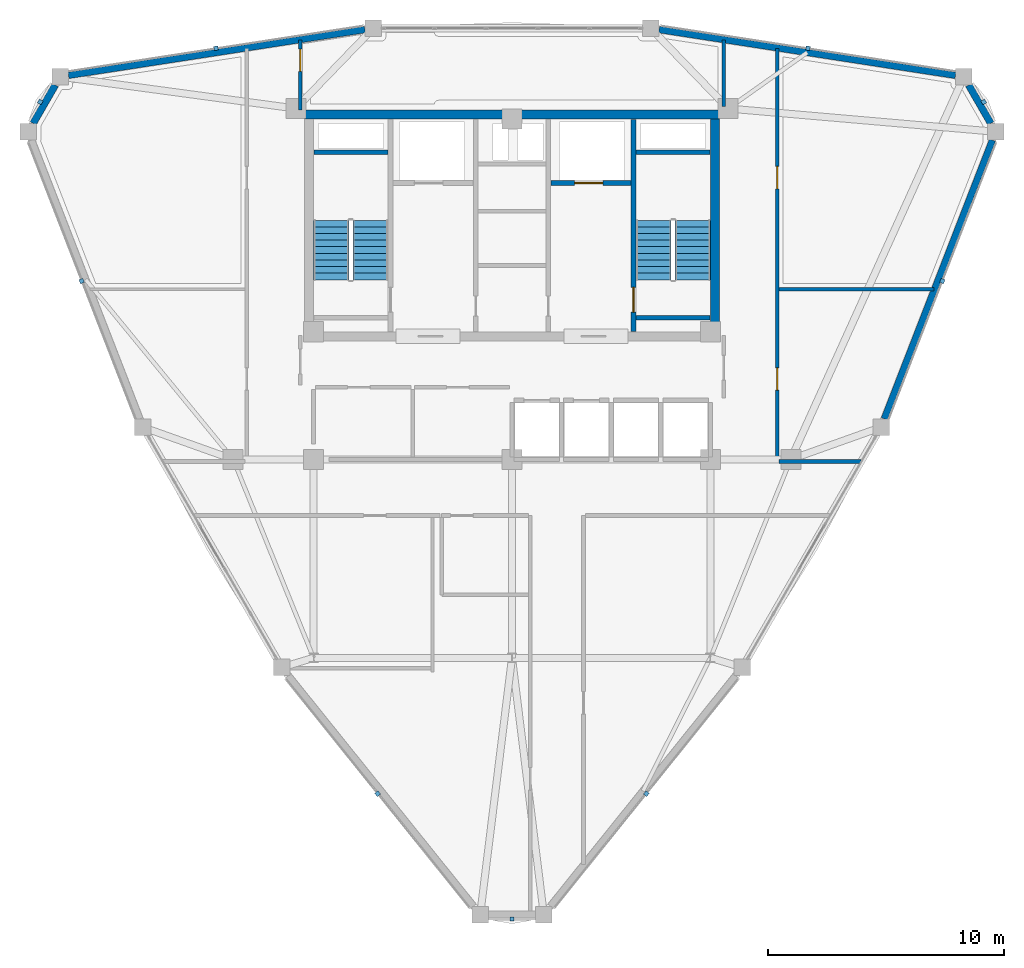
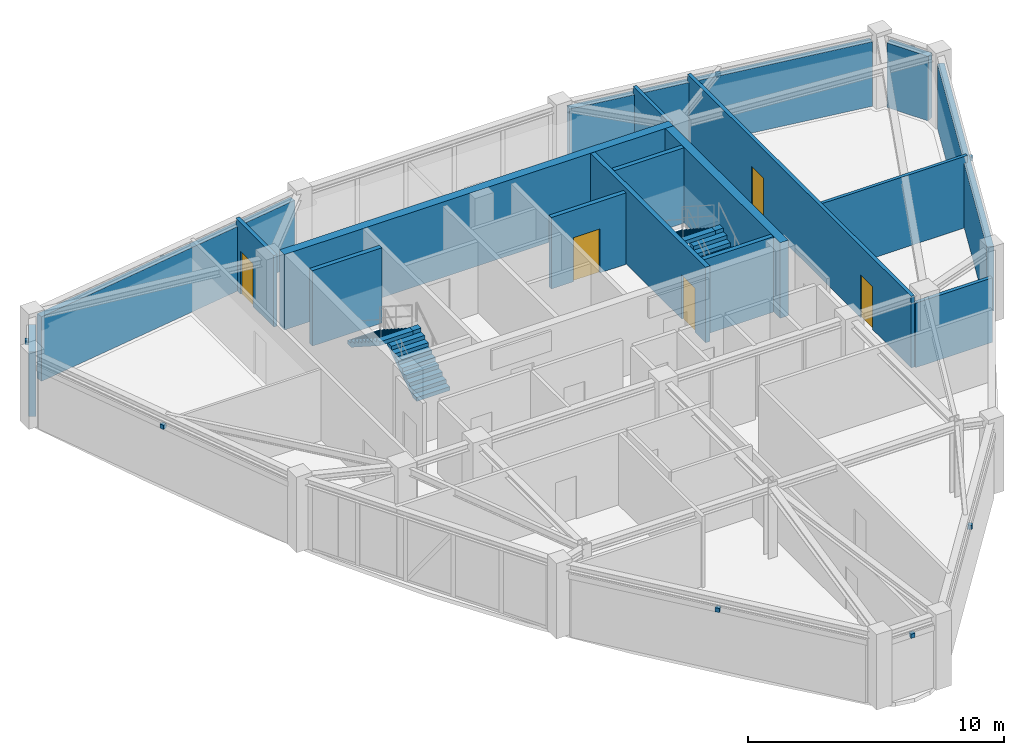
# One storey, part 13 of 15: 17 walls, 9 discrete accessories, 5 doors, 4 stair flights, 5 openings, 2 elements without a shape of their own.
"""IFC4 building model written with IfcOpenShell, lengths in metres."""

from ifc_helpers import new_model, si_unit, derived_unit, direction, frame, frame_2d, origin, origin_2d, place, context, subcontext, project, spatial, polyline, rectangle, outline, extrude, source, transform, mapped, material, layer, layer_set, type_object, element, fill, aggregate, save


model = new_model("IFC4")

# Units and contexts
model_context = context("Model", 3, precision=1e-05, world=origin(), true_north=direction((0.0, 1.0)))
body_context = subcontext(model_context, "Body", "Model", "MODEL_VIEW")
ifc_project = project(units=[si_unit("LENGTHUNIT", "METRE"), si_unit("AREAUNIT", "SQUARE_METRE"), si_unit("VOLUMEUNIT", "CUBIC_METRE"), si_unit("PLANEANGLEUNIT", "RADIAN"), si_unit("MASSUNIT", "GRAM", prefix="KILO"), derived_unit("THERMALTRANSMITTANCEUNIT", [(si_unit("POWERUNIT", "WATT"), 1), (si_unit("LENGTHUNIT", "METRE"), -2), (si_unit("THERMODYNAMICTEMPERATUREUNIT", "KELVIN"), -1)])], contexts=[model_context])

# Site, building, storey
site_placement = place(None, origin())
site = spatial("IfcSite", under=ifc_project, at=site_placement, CompositionType="ELEMENT")
building_placement = place(site_placement, origin())
building = spatial("IfcBuilding", under=site, at=building_placement, Name="Korsvarv Bourse and Concert Hall", CompositionType="ELEMENT")
storey_placement = place(building_placement, frame((0.0, 0.0, 264.60009765625)))
storey = spatial("IfcBuildingStorey", under=building, at=storey_placement, Name="L69", CompositionType="ELEMENT", Elevation=264.60009765625)

# Walls
ifc_material_1 = material(Name="Concrete C50/60", Category="concrete")
ifc_layer_1 = layer(ifc_material_1, 0.3798828125)
ifc_layer_set_1 = layer_set([ifc_layer_1], Name="Concrete C50/60")
wall_type_1 = type_object("IfcWallType", Name="WL-CORE-380", PredefinedType="SHEAR", material=ifc_layer_set_1)
wall_1_placement = place(storey_placement, frame((27.219970703125, 46.989990234375, 0.0), z_axis=(0.0, 0.0, 1.0), x_axis=(1.0, 0.0, 0.0)))
element("IfcWall", 1, at=wall_1_placement, inside=storey, type_object=wall_type_1, Name="L69 North Core Shear Wall", PredefinedType="SHEAR", context=body_context, shape_type="SweptSolid", body=[
    extrude(rectangle(XDim=17.56005859375, YDim=0.3798828125, at=frame_2d((8.780029296875, 0.0))), origin(), (0.0, 0.0, 1.0), 3.599853515625),
])
wall_2_placement = place(storey_placement, frame((44.590087890625, 37.800048828125, 0.0), z_axis=(0.0, 0.0, 1.0), x_axis=(0.0, 1.0, 0.0)))
element("IfcWall", 2, at=wall_2_placement, inside=storey, type_object=wall_type_1, Name="L69 East Core Shear Wall", PredefinedType="SHEAR", context=body_context, shape_type="SweptSolid", body=[
    extrude(rectangle(XDim=9.0, YDim=0.3798828125, at=frame_2d((4.5, 0.0))), origin(), (0.0, 0.0, 1.0), 3.599853515625),
])
wall_3_placement = place(storey_placement, frame((27.610107421875, 45.39990234375, 0.0), z_axis=(0.0, 0.0, 1.0), x_axis=(1.0, 0.0, 0.0)))
element("IfcWall", 3, at=wall_3_placement, inside=storey, type_object=wall_type_1, Name="L69 stair shaft structural wall W-L69-ST1-N", PredefinedType="SHEAR", context=body_context, shape_type="SweptSolid", body=[
    extrude(rectangle(XDim=3.139892578125, YDim=0.199951171875, at=frame_2d((1.56982421875, 0.0))), origin(), (0.0, 0.0, 1.0), 3.599853515625),
])

# Wall, opening, door
wall_4_placement = place(storey_placement, frame((41.139892578125, 37.81005859375, 0.0), z_axis=(0.0, 0.0, 1.0), x_axis=(0.0, 1.0, 0.0)))
wall_4 = element("IfcWall", 4, at=wall_4_placement, inside=storey, type_object=wall_type_1, Name="L69 stair shaft structural wall W-L69-ST2-W", PredefinedType="SHEAR", context=body_context, shape_type="SweptSolid", body=[
    extrude(rectangle(XDim=8.97998046875, YDim=0.199951171875, at=frame_2d((4.489990234375, 0.0))), origin(), (0.0, 0.0, 1.0), 3.599853515625),
])
opening_1_placement = place(wall_4_placement, frame((0.820068359375, 0.0, 0.0)))
opening_1 = element("IfcOpeningElement", 5, at=opening_1_placement, cuts=wall_4, Name="Opening D-01", PredefinedType="OPENING", context=body_context, shape_type="SweptSolid", body=[
    extrude(rectangle(XDim=1.050048828125, YDim=2.10009765625, at=frame_2d((0.52490234375, 1.050048828125))), frame((0.0, 0.10986328125, 0.0), z_axis=(0.0, -1.0, 0.0), x_axis=(1.0, 0.0, 0.0)), (0.0, 0.0, 1.0), 0.219970703125),
])
ifc_material_2 = material(Name="Steel S355 fire door", Category="steel")
door_type_1 = type_object("IfcDoorType", Name="DR-FD60", OperationType="NOTDEFINED", PredefinedType="DOOR", material=ifc_material_2)
door_1_placement = place(opening_1_placement, frame((1.050048828125, 0.0, 0.0), z_axis=(0.0, 0.0, 1.0), x_axis=(-1.0, 0.0, 0.0)))
door_1 = element("IfcDoor", 6, at=door_1_placement, inside=storey, type_object=door_type_1, Name="L69 interior door DR-L69-ST2", OperationType="SINGLE_SWING_LEFT", OverallHeight=2.10009765625, OverallWidth=1.050048828125, PredefinedType="DOOR", context=body_context, shape_type="SweptSolid", body=[
    extrude(rectangle(XDim=1.050048828125, YDim=2.10009765625, at=frame_2d((0.52490234375, 1.050048828125))), frame((0.0, 0.02490234375, 0.0), z_axis=(0.0, -1.0, 0.0), x_axis=(1.0, 0.0, 0.0)), (0.0, 0.0, 1.0), 0.050048828125),
])
fill(opening_1, door_1)

# Walls
for number, where, z_axis, x_axis, name in (
    (7, (41.25, 45.39990234375, 0.0), (0.0, 0.0, 1.0), (1.0, 0.0, 0.0), "L69 stair shaft structural wall W-L69-ST2-N"),
    (8, (41.25, 38.39990234375, 0.0), (0.0, 0.0, 1.0), (1.0, 0.0, 0.0), "L69 stair shaft structural wall W-L69-ST2-S"),
):
    element("IfcWall", number, at=place(storey_placement, frame(where, z_axis=z_axis, x_axis=x_axis)), inside=storey, type_object=wall_type_1, Name=name, PredefinedType="SHEAR", context=body_context, shape_type="SweptSolid", body=[
        extrude(rectangle(XDim=3.139892578125, YDim=0.199951171875, at=frame_2d((1.56982421875, 0.0))), origin(), (0.0, 0.0, 1.0), 3.599853515625),
    ])
ifc_material_3 = material(Name="Precast concrete C45/55 with terracotta rainscreen", Category="concrete")
ifc_layer_2 = layer(ifc_material_3, 0.300048828125)
ifc_layer_set_2 = layer_set([ifc_layer_2], Name="Precast concrete C45/55 with terracotta rainscreen")
wall_type_2 = type_object("IfcWallType", Name="WL-EXT-TC1", PredefinedType="SOLIDWALL", material=ifc_layer_set_2)
for number, where, z_axis, x_axis, name in (
    (9, (56.269287109375, 46.621337890625, 0.0), (0.0, 0.0, 1.0), (-0.500023421257, 0.866011881093, 0.0), "L69 terracotta exterior wall EW-L69-B01"),
    (10, (16.6669921875, 48.242919921875, 0.0), (0.0, 0.0, 1.0), (-0.500023421257, -0.866011881093, 0.0), "L69 terracotta exterior wall EW-L69-B05"),
):
    element("IfcWall", number, at=place(storey_placement, frame(where, z_axis=z_axis, x_axis=x_axis)), inside=storey, type_object=wall_type_2, Name=name, PredefinedType="SOLIDWALL", context=body_context, shape_type="SweptSolid", body=[
        extrude(rectangle(XDim=1.87255859375, YDim=0.300048828125, at=frame_2d((0.936279296875, 0.0))), origin(), (0.0, 0.0, 1.0), 3.079833984375),
    ])
ifc_material_4 = material(Name="Precast concrete C45/55 with fluted terracotta pier", Category="concrete")
ifc_layer_3 = layer(ifc_material_4, 0.280029296875)
ifc_layer_set_3 = layer_set([ifc_layer_3], Name="Precast concrete C45/55 with fluted terracotta pier")
wall_type_3 = type_object("IfcWallType", Name="WL-EXT-TC2", PredefinedType="SOLIDWALL", material=ifc_layer_set_3)
for number, where, z_axis, x_axis, name in (
    (11, (54.77294921875, 48.65283203125, 0.0), (0.0, 0.0, 1.0), (-0.988271454673, 0.152707340617, 0.0), "L69 terracotta exterior wall EW-L69-B02"),
    (12, (29.775390625, 50.591796875, 0.0), (0.0, 0.0, 1.0), (-0.988271454673, -0.152707340617, 0.0), "L69 terracotta exterior wall EW-L69-B04"),
):
    element("IfcWall", number, at=place(storey_placement, frame(where, z_axis=z_axis, x_axis=x_axis)), inside=storey, type_object=wall_type_3, Name=name, PredefinedType="SOLIDWALL", context=body_context, shape_type="SweptSolid", body=[
        extrude(rectangle(XDim=12.697265625, YDim=0.280029296875, at=frame_2d((6.3486328125, 0.0))), origin(), (0.0, 0.0, 1.0), 3.079833984375),
    ])
wall_5_placement = place(storey_placement, frame((51.757080078125, 34.11474609375, 0.0), z_axis=(0.0, 0.0, 1.0), x_axis=(0.3618810561, 0.932224276253, 0.0)))
element("IfcWall", 13, at=wall_5_placement, inside=storey, type_object=wall_type_3, Name="L69 terracotta exterior wall EW-L69-B12", PredefinedType="SOLIDWALL", context=body_context, shape_type="SweptSolid", body=[
    extrude(rectangle(XDim=12.654296875, YDim=0.280029296875, at=frame_2d((6.3271484375, 0.0))), origin(), (0.0, 0.0, 1.0), 3.079833984375),
])

# Wall, opening, door
ifc_material_5 = material(Name="Reinforced concrete blockwork C35/45 fire wall", Category="concrete")
ifc_layer_4 = layer(ifc_material_5, 0.199951171875)
ifc_layer_set_4 = layer_set([ifc_layer_4], Name="Reinforced concrete blockwork C35/45 fire wall")
wall_type_4 = type_object("IfcWallType", Name="WL-INT-EI120", PredefinedType="PARTITIONING", material=ifc_layer_set_4)
wall_6_placement = place(storey_placement, frame((37.64990234375, 44.10009765625, 0.0), z_axis=(0.0, 0.0, 1.0), x_axis=(1.0, 0.0, 0.0)))
wall_6 = element("IfcWall", 14, at=wall_6_placement, inside=storey, type_object=wall_type_4, Name="L69 interior partition wall W-L69-FF2-S", PredefinedType="PARTITIONING", context=body_context, shape_type="SweptSolid", body=[
    extrude(rectangle(XDim=3.380126953125, YDim=0.199951171875, at=frame_2d((1.68994140625, 0.0))), origin(), (0.0, 0.0, 1.0), 3.409912109375),
])
opening_2_placement = place(wall_6_placement, frame((1.0, 0.0, 0.0)))
opening_2 = element("IfcOpeningElement", 15, at=opening_2_placement, cuts=wall_6, Name="Opening LD-1", PredefinedType="OPENING", context=body_context, shape_type="SweptSolid", body=[
    extrude(rectangle(XDim=1.199951171875, YDim=2.10009765625, at=frame_2d((0.60009765625, 1.050048828125))), frame((0.0, 0.10986328125, 0.0), z_axis=(0.0, -1.0, 0.0), x_axis=(1.0, 0.0, 0.0)), (0.0, 0.0, 1.0), 0.219970703125),
])
ifc_material_6 = material(Name="Stainless Steel S355 firefighting lift landing door", Category="steel")
door_type_2 = type_object("IfcDoorType", Name="DR-LIFT-FF", OperationType="DOUBLE_DOOR_SLIDING", PredefinedType="DOOR", material=ifc_material_6)
door_2_placement = place(opening_2_placement, origin())
door_2 = element("IfcDoor", 16, at=door_2_placement, inside=storey, type_object=door_type_2, Name="L69 lift sliding landing door LD-L69-FF2", OperationType="DOUBLE_DOOR_SLIDING", OverallHeight=2.10009765625, OverallWidth=1.199951171875, PredefinedType="DOOR", context=body_context, shape_type="SweptSolid", body=[
    extrude(rectangle(XDim=1.199951171875, YDim=2.10009765625, at=frame_2d((0.60009765625, 1.050048828125))), frame((0.0, 0.02490234375, 0.0), z_axis=(0.0, -1.0, 0.0), x_axis=(1.0, 0.0, 0.0)), (0.0, 0.0, 1.0), 0.050048828125),
])
fill(opening_2, door_2)

# Wall, openings, doors
ifc_material_7 = material(Name="Double-stud fire-rated acoustic partition", Category="gypsum")
ifc_layer_5 = layer(ifc_material_7, 0.159912109375)
ifc_layer_set_5 = layer_set([ifc_layer_5], Name="Double-stud fire-rated acoustic partition")
wall_type_5 = type_object("IfcWallType", Name="WL-INT-EI60", PredefinedType="PARTITIONING", material=ifc_layer_set_5)
wall_7_placement = place(storey_placement, frame((47.22509765625, 32.31005859375, 0.0), z_axis=(0.0, 0.0, 1.0), x_axis=(0.0, 1.0, 0.0)))
wall_7 = element("IfcWall", 17, at=wall_7_placement, inside=storey, type_object=wall_type_5, Name="L69 interior partition wall W-L69-TCOR-01", PredefinedType="PARTITIONING", context=body_context, shape_type="SweptSolid", body=[
    extrude(rectangle(XDim=17.4892578125, YDim=0.159912109375, at=frame_2d((8.74462890625, 0.0))), origin(), (0.0, 0.0, 1.0), 3.409912109375),
])
opening_3_placement = place(wall_7_placement, frame((3.017578125, 0.0, 0.0)))
opening_3 = element("IfcOpeningElement", 18, at=opening_3_placement, cuts=wall_7, Name="Opening D-02", PredefinedType="OPENING", context=body_context, shape_type="SweptSolid", body=[
    extrude(rectangle(XDim=0.949951171875, YDim=2.050048828125, at=frame_2d((0.47509765625, 1.02490234375))), frame((0.0, 0.08984375, 0.0), z_axis=(0.0, -1.0, 0.0), x_axis=(1.0, 0.0, 0.0)), (0.0, 0.0, 1.0), 0.179931640625),
])
opening_4_placement = place(wall_7_placement, frame((11.54052734375, 0.0, 0.0)))
opening_4 = element("IfcOpeningElement", 19, at=opening_4_placement, cuts=wall_7, Name="Opening D-02", PredefinedType="OPENING", context=body_context, shape_type="SweptSolid", body=[
    extrude(rectangle(XDim=0.949951171875, YDim=2.050048828125, at=frame_2d((0.47509765625, 1.02490234375))), frame((0.0, 0.08984375, 0.0), z_axis=(0.0, -1.0, 0.0), x_axis=(1.0, 0.0, 0.0)), (0.0, 0.0, 1.0), 0.179931640625),
])
ifc_material_8 = material(Name="Timber and steel acoustic fire door", Category="wood")
door_type_3 = type_object("IfcDoorType", Name="DR-FD30", OperationType="NOTDEFINED", PredefinedType="DOOR", material=ifc_material_8)
door_3_placement = place(opening_3_placement, origin())
door_3 = element("IfcDoor", 20, at=door_3_placement, inside=storey, type_object=door_type_3, Name="L69 interior door DR-L69-TCOR-FO71", OperationType="SINGLE_SWING_RIGHT", OverallHeight=2.050048828125, OverallWidth=0.949951171875, PredefinedType="DOOR", context=body_context, shape_type="SweptSolid", body=[
    extrude(rectangle(XDim=0.949951171875, YDim=2.050048828125, at=frame_2d((0.47509765625, 1.02490234375))), frame((0.0, 0.02490234375, 0.0), z_axis=(0.0, -1.0, 0.0), x_axis=(1.0, 0.0, 0.0)), (0.0, 0.0, 1.0), 0.050048828125),
])
fill(opening_3, door_3)
door_4_placement = place(opening_4_placement, origin())
door_4 = element("IfcDoor", 21, at=door_4_placement, inside=storey, type_object=door_type_3, Name="L69 interior door DR-L69-TCOR-FO82", OperationType="SINGLE_SWING_LEFT", OverallHeight=2.050048828125, OverallWidth=0.949951171875, PredefinedType="DOOR", context=body_context, shape_type="SweptSolid", body=[
    extrude(rectangle(XDim=0.949951171875, YDim=2.050048828125, at=frame_2d((0.47509765625, 1.02490234375))), frame((0.0, 0.02490234375, 0.0), z_axis=(0.0, -1.0, 0.0), x_axis=(1.0, 0.0, 0.0)), (0.0, 0.0, 1.0), 0.050048828125),
])
fill(opening_4, door_4)

# Wall
wall_8_placement = place(storey_placement, frame((47.306884765625, 32.31494140625, 0.0), z_axis=(0.0, 0.0, 1.0), x_axis=(1.0, 0.0, 0.0)))
element("IfcWall", 22, at=wall_8_placement, inside=storey, type_object=wall_type_5, Name="L69 interior partition wall W-L69-TCOR-09", PredefinedType="PARTITIONING", context=body_context, shape_type="SweptSolid", body=[
    extrude(rectangle(XDim=3.4580078125, YDim=0.159912109375, at=frame_2d((1.72900390625, 0.0))), origin(), (0.0, 0.0, 1.0), 3.079833984375),
])

# Wall, opening, door
wall_9_placement = place(storey_placement, frame((27.034912109375, 47.18310546875, 0.0), z_axis=(0.0, 0.0, 1.0), x_axis=(0.0, 1.0, 0.0)))
wall_9 = element("IfcWall", 23, at=wall_9_placement, inside=storey, type_object=wall_type_5, Name="L69 interior partition wall W-L69-TCOR-10", PredefinedType="PARTITIONING", context=body_context, shape_type="SweptSolid", body=[
    extrude(rectangle(XDim=2.96533203125, YDim=0.159912109375, at=frame_2d((1.482666015625, 0.0))), origin(), (0.0, 0.0, 1.0), 3.409912109375),
])
opening_5_placement = place(wall_9_placement, frame((1.63525390625, 0.0, 0.0)))
opening_5 = element("IfcOpeningElement", 24, at=opening_5_placement, cuts=wall_9, Name="Opening D-02", PredefinedType="OPENING", context=body_context, shape_type="SweptSolid", body=[
    extrude(rectangle(XDim=0.949951171875, YDim=2.050048828125, at=frame_2d((0.47509765625, 1.02490234375))), frame((0.0, 0.08984375, 0.0), z_axis=(0.0, -1.0, 0.0), x_axis=(1.0, 0.0, 0.0)), (0.0, 0.0, 1.0), 0.179931640625),
])
door_5_placement = place(opening_5_placement, origin())
door_5 = element("IfcDoor", 25, at=door_5_placement, inside=storey, type_object=door_type_3, Name="L69 interior door DR-L69-TCOR-FO44", OperationType="SINGLE_SWING_RIGHT", OverallHeight=2.050048828125, OverallWidth=0.949951171875, PredefinedType="DOOR", context=body_context, shape_type="SweptSolid", body=[
    extrude(rectangle(XDim=0.949951171875, YDim=2.050048828125, at=frame_2d((0.47509765625, 1.02490234375))), frame((0.0, 0.02490234375, 0.0), z_axis=(0.0, -1.0, 0.0), x_axis=(1.0, 0.0, 0.0)), (0.0, 0.0, 1.0), 0.050048828125),
])
fill(opening_5, door_5)

# Walls
wall_10_placement = place(storey_placement, frame((44.965087890625, 47.340087890625, 0.0), z_axis=(0.0, 0.0, 1.0), x_axis=(0.0, 1.0, 0.0)))
element("IfcWall", 26, at=wall_10_placement, inside=storey, type_object=wall_type_5, Name="L69 interior partition wall W-L69-TCOR-11", PredefinedType="PARTITIONING", context=body_context, shape_type="SweptSolid", body=[
    extrude(rectangle(XDim=2.808349609375, YDim=0.159912109375, at=frame_2d((1.404296875, 0.0))), origin(), (0.0, 0.0, 1.0), 3.409912109375),
])
ifc_material_9 = material(Name="Insulated steel-stud office acoustic partition", Category="gypsum")
ifc_layer_6 = layer(ifc_material_9, 0.139892578125)
ifc_layer_set_6 = layer_set([ifc_layer_6], Name="Insulated steel-stud office acoustic partition")
wall_type_6 = type_object("IfcWallType", Name="WL-INT-P1", PredefinedType="PARTITIONING", material=ifc_layer_set_6)
wall_11_placement = place(storey_placement, frame((47.306884765625, 39.60498046875, 0.0), z_axis=(0.0, 0.0, 1.0), x_axis=(1.0, 0.0, 0.0)))
element("IfcWall", 27, at=wall_11_placement, inside=storey, type_object=wall_type_6, Name="L69 interior partition wall W-L69-TCOR-12", PredefinedType="PARTITIONING", context=body_context, shape_type="SweptSolid", body=[
    extrude(rectangle(XDim=6.5615234375, YDim=0.139892578125, at=frame_2d((3.28076171875, 0.0))), origin(), (0.0, 0.0, 1.0), 3.409912109375),
])

# Stair, stair flights
ifc_material_10 = material(Name="Precast concrete C45/55", Category="concrete")
stair_type = type_object("IfcStairType", Name="STR-TYPE-04", PredefinedType="HALF_TURN_STAIR", material=ifc_material_10)
stair_1_placement = place(storey_placement, origin())
stair_1 = element("IfcStair", 28, at=stair_1_placement, inside=storey, type_object=stair_type, Name="L69 Tower West Exit Stair ST-T1", PredefinedType="HALF_TURN_STAIR")
stair_flight_type = type_object("IfcStairFlightType", Name="FLT-TYPE-04", PredefinedType="STRAIGHT", material=ifc_material_10)
stair_flight_1_placement = place(storey_placement, frame((30.010009765625, 40.0, 0.0), z_axis=(0.0, 0.0, 1.0), x_axis=(0.0, 1.0, 0.0)))
stair_flight_1 = element("IfcStairFlight", 29, at=stair_flight_1_placement, type_object=stair_flight_type, Name="ST-T1 flight 1", NumberOfRisers=10, NumberOfTreads=9, PredefinedType="STRAIGHT", RiserHeight=0.18, TreadLength=0.28, context=body_context, shape_type="SweptSolid", body=[
    extrude(outline(polyline([(0.0, 0.0), (0.0, 0.179931640625), (0.280029296875, 0.179931640625), (0.280029296875, 0.360107421875), (0.56005859375, 0.360107421875), (0.56005859375, 0.5400390625), (0.840087890625, 0.5400390625), (0.840087890625, 0.719970703125), (1.1201171875, 0.719970703125), (1.1201171875, 0.89990234375), (1.39990234375, 0.89990234375), (1.39990234375, 1.080078125), (1.679931640625, 1.080078125), (1.679931640625, 1.260009765625), (1.9599609375, 1.260009765625), (1.9599609375, 1.43994140625), (2.239990234375, 1.43994140625), (2.239990234375, 1.6201171875), (2.52001953125, 1.6201171875), (2.52001953125, 1.800048828125), (2.52001953125, 1.44189453125), (0.277099609375, 0.0), (0.0, 0.0)])), frame((0.0, 0.75, 0.0), z_axis=(0.0, -1.0, 0.0), x_axis=(1.0, 0.0, 0.0)), (0.0, 0.0, 1.0), 1.5),
])
stair_flight_2_placement = place(storey_placement, frame((28.35009765625, 42.52001953125, 1.7998046875), z_axis=(0.0, 0.0, 1.0), x_axis=(0.0, -1.0, 0.0)))
stair_flight_2 = element("IfcStairFlight", 30, at=stair_flight_2_placement, type_object=stair_flight_type, Name="ST-T1 flight 2", NumberOfRisers=10, NumberOfTreads=9, PredefinedType="STRAIGHT", RiserHeight=0.18, TreadLength=0.28, context=body_context, shape_type="SweptSolid", body=[
    extrude(outline(polyline([(0.0, 0.0), (0.0, 0.179931640625), (0.280029296875, 0.179931640625), (0.280029296875, 0.360107421875), (0.56005859375, 0.360107421875), (0.56005859375, 0.5400390625), (0.840087890625, 0.5400390625), (0.840087890625, 0.719970703125), (1.1201171875, 0.719970703125), (1.1201171875, 0.89990234375), (1.39990234375, 0.89990234375), (1.39990234375, 1.080078125), (1.679931640625, 1.080078125), (1.679931640625, 1.260009765625), (1.9599609375, 1.260009765625), (1.9599609375, 1.43994140625), (2.239990234375, 1.43994140625), (2.239990234375, 1.6201171875), (2.52001953125, 1.6201171875), (2.52001953125, 1.800048828125), (2.52001953125, 1.44189453125), (0.277099609375, 0.0), (0.0, 0.0)])), frame((0.0, 0.75, 0.0), z_axis=(0.0, -1.0, 0.0), x_axis=(1.0, 0.0, 0.0)), (0.0, 0.0, 1.0), 1.5),
])
aggregate(stair_1, [stair_flight_1, stair_flight_2])

stair_2_placement = place(storey_placement, origin())
stair_2 = element("IfcStair", 31, at=stair_2_placement, inside=storey, type_object=stair_type, Name="L69 Tower East Exit Stair ST-T2", PredefinedType="HALF_TURN_STAIR")
stair_flight_3_placement = place(storey_placement, frame((43.64990234375, 40.0, 0.0), z_axis=(0.0, 0.0, 1.0), x_axis=(0.0, 1.0, 0.0)))
stair_flight_3 = element("IfcStairFlight", 32, at=stair_flight_3_placement, type_object=stair_flight_type, Name="ST-T2 flight 1", NumberOfRisers=10, NumberOfTreads=9, PredefinedType="STRAIGHT", RiserHeight=0.18, TreadLength=0.28, context=body_context, shape_type="SweptSolid", body=[
    extrude(outline(polyline([(0.0, 0.0), (0.0, 0.179931640625), (0.280029296875, 0.179931640625), (0.280029296875, 0.360107421875), (0.56005859375, 0.360107421875), (0.56005859375, 0.5400390625), (0.840087890625, 0.5400390625), (0.840087890625, 0.719970703125), (1.1201171875, 0.719970703125), (1.1201171875, 0.89990234375), (1.39990234375, 0.89990234375), (1.39990234375, 1.080078125), (1.679931640625, 1.080078125), (1.679931640625, 1.260009765625), (1.9599609375, 1.260009765625), (1.9599609375, 1.43994140625), (2.239990234375, 1.43994140625), (2.239990234375, 1.6201171875), (2.52001953125, 1.6201171875), (2.52001953125, 1.800048828125), (2.52001953125, 1.44189453125), (0.277099609375, 0.0), (0.0, 0.0)])), frame((0.0, 0.75, 0.0), z_axis=(0.0, -1.0, 0.0), x_axis=(1.0, 0.0, 0.0)), (0.0, 0.0, 1.0), 1.5),
])
stair_flight_4_placement = place(storey_placement, frame((41.989990234375, 42.52001953125, 1.7998046875), z_axis=(0.0, 0.0, 1.0), x_axis=(0.0, -1.0, 0.0)))
stair_flight_4 = element("IfcStairFlight", 33, at=stair_flight_4_placement, type_object=stair_flight_type, Name="ST-T2 flight 2", NumberOfRisers=10, NumberOfTreads=9, PredefinedType="STRAIGHT", RiserHeight=0.18, TreadLength=0.28, context=body_context, shape_type="SweptSolid", body=[
    extrude(outline(polyline([(0.0, 0.0), (0.0, 0.179931640625), (0.280029296875, 0.179931640625), (0.280029296875, 0.360107421875), (0.56005859375, 0.360107421875), (0.56005859375, 0.5400390625), (0.840087890625, 0.5400390625), (0.840087890625, 0.719970703125), (1.1201171875, 0.719970703125), (1.1201171875, 0.89990234375), (1.39990234375, 0.89990234375), (1.39990234375, 1.080078125), (1.679931640625, 1.080078125), (1.679931640625, 1.260009765625), (1.9599609375, 1.260009765625), (1.9599609375, 1.43994140625), (2.239990234375, 1.43994140625), (2.239990234375, 1.6201171875), (2.52001953125, 1.6201171875), (2.52001953125, 1.800048828125), (2.52001953125, 1.44189453125), (0.277099609375, 0.0), (0.0, 0.0)])), frame((0.0, 0.75, 0.0), z_axis=(0.0, -1.0, 0.0), x_axis=(1.0, 0.0, 0.0)), (0.0, 0.0, 1.0), 1.5),
])
aggregate(stair_2, [stair_flight_3, stair_flight_4])

# Discrete accessories
ifc_material_11 = material(Name="Stainless Steel S355 facade outrigger bracket", Category="steel")
discrete_accessory_type = type_object("IfcDiscreteAccessoryType", Name="ACC-BRK-1", PredefinedType="BRACKET", material=ifc_material_11)
shared_shape = source(origin(), body_context, "Body", "SweptSolid", [
    extrude(rectangle(XDim=0.179931640625, YDim=0.179931640625, at=origin_2d()), origin(), (0.0, 0.0, 1.0), 0.199951171875),
])
for number, where, z_axis, x_axis, name in (
    (34, (55.965576171875, 47.527099609375, 2.81982421875), (0.0, 0.0, 1.0), (-0.5, 0.866025403784, 0.0), "L69 terracotta sunshade bracket EW-L69-B01"),
    (35, (48.526123046875, 49.80029296875, 2.81982421875), (0.0, 0.0, 1.0), (-0.98828172337, 0.15264087019, 0.0), "L69 terracotta sunshade bracket EW-L69-B02"),
    (36, (23.473876953125, 49.80029296875, 2.81982421875), (0.0, 0.0, 1.0), (-0.98828172337, -0.15264087019, 0.0), "L69 terracotta sunshade bracket EW-L69-B04"),
    (37, (16.034423828125, 47.527099609375, 2.81982421875), (0.0, 0.0, 1.0), (-0.5, -0.866025403784, 0.0), "L69 terracotta sunshade bracket EW-L69-B05"),
    (38, (17.785400390625, 39.947998046875, 2.7900390625), (0.0, 0.0, 1.0), (0.361949990445, -0.93219751363, 0.0), "L69 terracotta sunshade bracket EW-L69-B06"),
    (39, (30.311767578125, 18.251708984375, 2.81982421875), (0.0, 0.0, 1.0), (0.626331732926, -0.779556643439, 0.0), "L69 terracotta sunshade bracket EW-L69-B08"),
    (40, (36.0, 12.945556640625, 2.81982421875), (0.0, 0.0, 1.0), (1.0, 0.0, 0.0), "L69 terracotta sunshade bracket EW-L69-B09"),
    (41, (41.688232421875, 18.251708984375, 2.7900390625), (0.0, 0.0, 1.0), (0.626331732926, 0.779556643439, 0.0), "L69 terracotta sunshade bracket EW-L69-B10"),
    (42, (54.214599609375, 39.947998046875, 2.81982421875), (0.0, 0.0, 1.0), (0.361949990445, 0.93219751363, 0.0), "L69 terracotta sunshade bracket EW-L69-B12"),
):
    element("IfcDiscreteAccessory", number, at=place(storey_placement, frame(where, z_axis=z_axis, x_axis=x_axis)), inside=storey, type_object=discrete_accessory_type, Name=name, PredefinedType="BRACKET", context=body_context, shape_type="MappedRepresentation", body=[
        mapped(shared_shape, transform((0.0, 0.0, 0.0), scale=1.0)),
    ])

save(model, "model.ifc")
